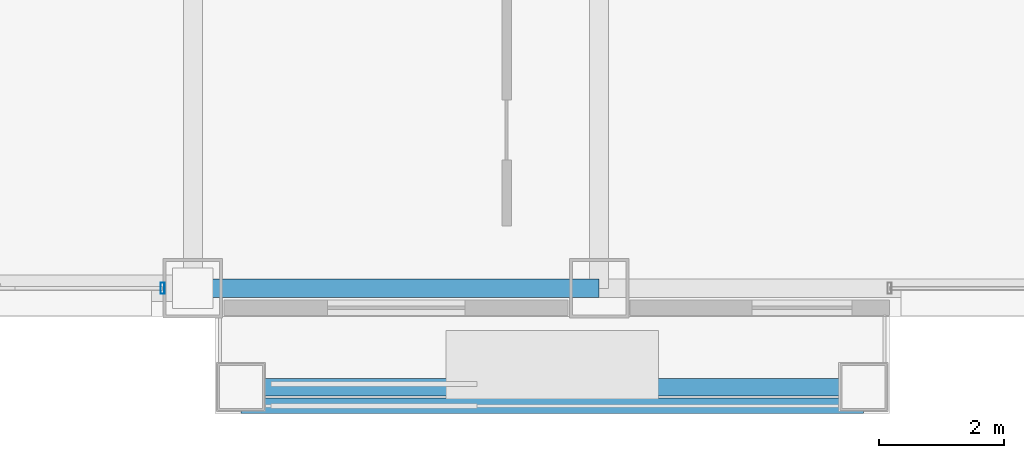
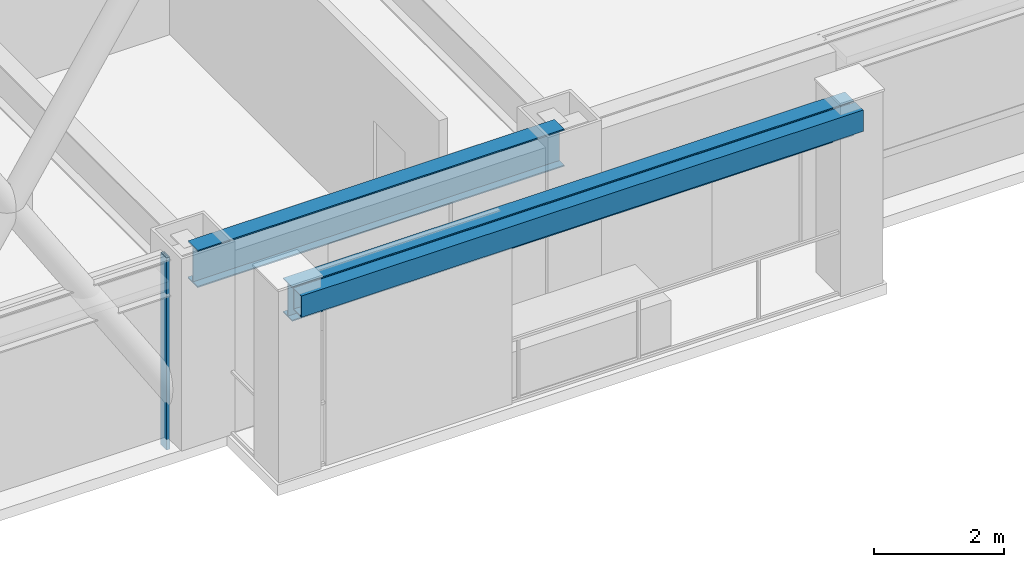
# One storey, part 4 of 34: 2 beams, 2 members, 1 element without a shape of its own.
"""IFC4 building model written with IfcOpenShell, lengths in metres."""

from ifc_helpers import new_model, si_unit, direction, frame, origin, origin_2d, place, context, subcontext, project, spatial, hollow_rectangle, i_section, extrude, material, layer, layer_set, material_profile, profile_set, type_object, element, aggregate, save


model = new_model("IFC4")

# Units and contexts
model_context = context("Model", 3, precision=1e-05, world=origin(), true_north=direction((0.0, 1.0)))
body_context = subcontext(model_context, "Body", "Model", "MODEL_VIEW")
ifc_project = project(units=[si_unit("LENGTHUNIT", "METRE"), si_unit("AREAUNIT", "SQUARE_METRE"), si_unit("VOLUMEUNIT", "CUBIC_METRE"), si_unit("PLANEANGLEUNIT", "RADIAN"), si_unit("MASSUNIT", "GRAM", prefix="KILO")], contexts=[model_context])

# Site, building, storey
site_placement = place(None, origin())
site = spatial("IfcSite", under=ifc_project, at=site_placement, CompositionType="ELEMENT")
building_placement = place(site_placement, origin())
building = spatial("IfcBuilding", under=site, at=building_placement, Name="Brelmoor Portico Tower", CompositionType="ELEMENT")
storey_placement = place(building_placement, frame((0.0, 0.0, 45.60009765625)))
storey = spatial("IfcBuildingStorey", under=building, at=storey_placement, Name="L11", CompositionType="ELEMENT", Elevation=45.60009765625)

# Beams
ifc_material_1 = material(Name="Steel Q355B", Category="steel")
ifc_material_profile_1 = material_profile(ifc_material_1, i_section(OverallWidth=0.280029296875, OverallDepth=0.64990234375, WebThickness=0.012939453125, FlangeThickness=0.02197265625, at=origin_2d()), Name="HN 650x280x13x22")
ifc_profile_set_1 = profile_set([ifc_material_profile_1], Name="Steel Q355B")
beam_type_1 = type_object("IfcBeamType", Name="BM-SP-650", PredefinedType="SPANDREL", material=ifc_profile_set_1)
beam_1_placement = place(storey_placement, frame((-13.780029296875, -23.1298828125, 3.074951171875), z_axis=(1.0, 0.0, 0.0), x_axis=(0.0, 1.0, 0.0)))
element("IfcBeam", 1, at=beam_1_placement, inside=storey, type_object=beam_type_1, Name="L11 Picture-Frame Perimeter Lintel Beam S1", PredefinedType="SPANDREL", context=body_context, shape_type="SweptSolid", body=[
    extrude(i_section(OverallWidth=0.280029296875, OverallDepth=0.64990234375, WebThickness=0.012939453125, FlangeThickness=0.02197265625, at=origin_2d()), origin(), (0.0, 0.0, 1.0), 9.9599609375),
])
ifc_material_profile_2 = material_profile(ifc_material_1, i_section(OverallWidth=0.300048828125, OverallDepth=0.699951171875, WebThickness=0.012939453125, FlangeThickness=0.02392578125, at=origin_2d()), Name="HN 700x300x13x24")
ifc_profile_set_2 = profile_set([ifc_material_profile_2], Name="Steel Q355B")
beam_type_2 = type_object("IfcBeamType", Name="BM-SP-700", PredefinedType="SPANDREL", material=ifc_profile_set_2)
beam_2_placement = place(storey_placement, frame((-14.550048828125, -21.550048828125, 3.0498046875), z_axis=(1.0, 0.0, 0.0), x_axis=(0.0, 1.0, 0.0)))
element("IfcBeam", 2, at=beam_2_placement, inside=storey, type_object=beam_type_2, Name="L11 Perimeter Spandrel Beam SP-02", PredefinedType="SPANDREL", context=body_context, shape_type="SweptSolid", body=[
    extrude(i_section(OverallWidth=0.300048828125, OverallDepth=0.699951171875, WebThickness=0.012939453125, FlangeThickness=0.02392578125, at=origin_2d()), origin(), (0.0, 0.0, 1.0), 6.5),
])

# Curtain wall, member
ifc_material_2 = material(Name="Anodised Aluminium Alloy 6063-T6", Category="aluminium")
ifc_layer = layer(ifc_material_2, 0.179931640625)
ifc_layer_set = layer_set([ifc_layer], Name="Anodised Aluminium Alloy 6063-T6")
curtain_wall_type = type_object("IfcCurtainWallType", Name="CW-TOWER-Z1-XB", PredefinedType="NOTDEFINED", material=ifc_layer_set)
curtain_wall_placement = place(storey_placement, origin())
curtain_wall = element("IfcCurtainWall", 3, at=curtain_wall_placement, inside=storey, type_object=curtain_wall_type, Name="L11 Curtain Wall CW-L11-1L", PredefinedType="NOTDEFINED")
ifc_material_profile_3 = material_profile(ifc_material_2, hollow_rectangle(XDim=0.06494140625, YDim=0.179931640625, WallThickness=0.00390625, at=origin_2d()), Name="ALU MULLION 65x180")
ifc_profile_set_3 = profile_set([ifc_material_profile_3], Name="Anodised Aluminium Alloy 6063-T6")
member_type_1 = type_object("IfcMemberType", Name="MB-CW-MULL-180", PredefinedType="MULLION", material=ifc_profile_set_3)
member_1_placement = place(storey_placement, frame((-15.034912109375, -21.550048828125, -0.2001953125), z_axis=(0.0, 0.0, 1.0), x_axis=(1.0, 0.0, 0.0)))
member_1 = element("IfcMember", 4, at=member_1_placement, type_object=member_type_1, Name="CW-L11-1L Mullion 01", PredefinedType="MULLION", context=body_context, shape_type="SweptSolid", body=[
    extrude(hollow_rectangle(XDim=0.06494140625, YDim=0.179931640625, WallThickness=0.00390625, at=origin_2d()), origin(), (0.0, 0.0, 1.0), 3.60009765625),
])
aggregate(curtain_wall, [member_1])

# Member
ifc_material_3 = material(Name="Pale Champagne Fluoropolymer-Coated Steel Q355B", Category="steel")
ifc_material_profile_4 = material_profile(ifc_material_3, hollow_rectangle(XDim=0.25, YDim=0.39990234375, WallThickness=0.013916015625, at=origin_2d()), Name="RHS 250x400x14")
ifc_profile_set_4 = profile_set([ifc_material_profile_4], Name="Pale Champagne Fluoropolymer-Coated Steel Q355B")
member_type_2 = type_object("IfcMemberType", Name="MB-PF-HEADER", PredefinedType="MEMBER", material=ifc_profile_set_4)
member_2_placement = place(storey_placement, frame((-13.780029296875, -23.429931640625, 3.199951171875), z_axis=(1.0, 0.0, 0.0), x_axis=(0.0, 1.0, 0.0)))
element("IfcMember", 5, at=member_2_placement, inside=storey, type_object=member_type_2, Name="L11 Picture-Frame Header S", PredefinedType="MEMBER", context=body_context, shape_type="SweptSolid", body=[
    extrude(hollow_rectangle(XDim=0.25, YDim=0.39990234375, WallThickness=0.013916015625, at=origin_2d()), origin(), (0.0, 0.0, 1.0), 9.9599609375),
])

save(model, "model.ifc")
